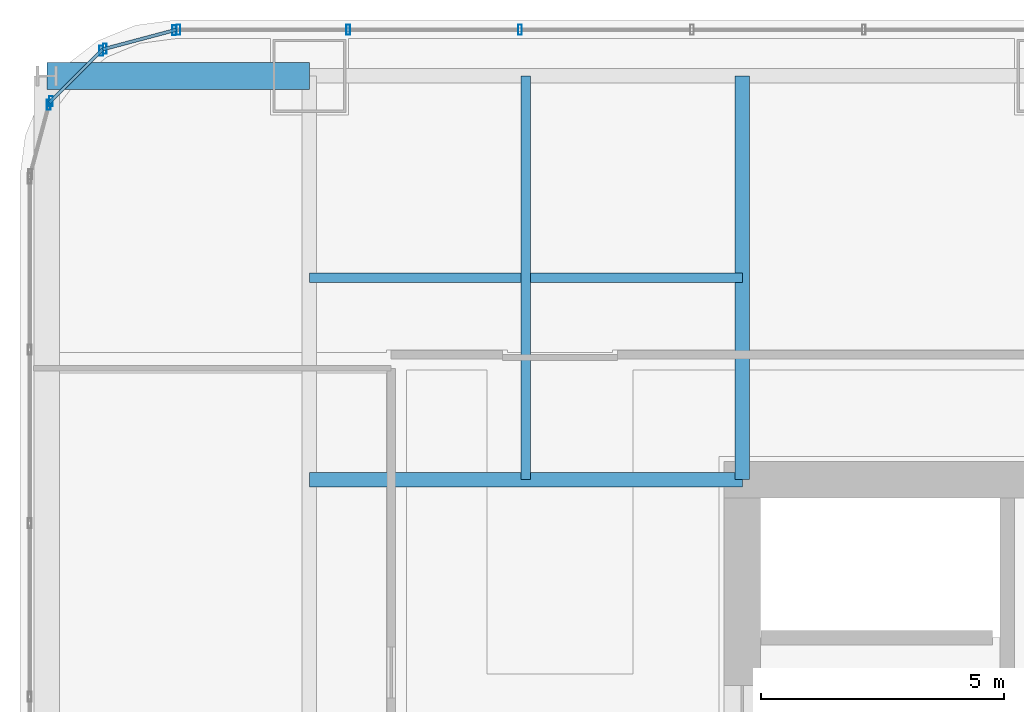
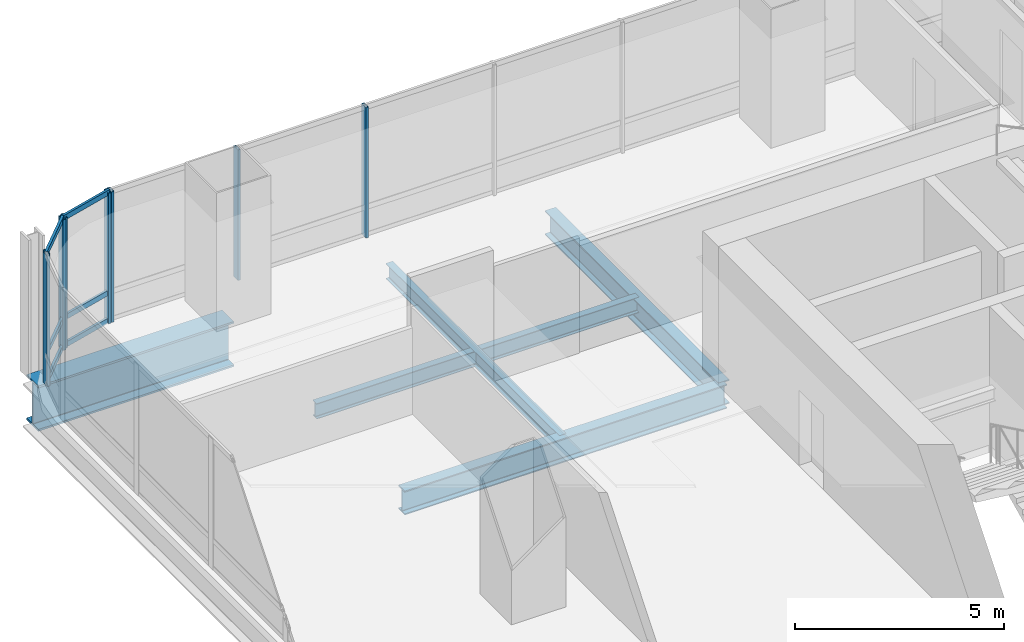
# One storey, part 19 of 36: 14 members, 5 beams, 4 elements without a shape of their own.
"""IFC4 building model written with IfcOpenShell, lengths in metres."""

from ifc_helpers import new_model, si_unit, direction, frame, origin, origin_2d, place, context, subcontext, project, spatial, hollow_rectangle, i_section, extrude, material, material_profile, profile_set, type_object, element, aggregate, save


model = new_model("IFC4")

# Units and contexts
model_context = context("Model", 3, precision=1e-05, world=origin(), true_north=direction((0.0, 1.0)))
body_context = subcontext(model_context, "Body", "Model", "MODEL_VIEW")
ifc_project = project(units=[si_unit("LENGTHUNIT", "METRE"), si_unit("AREAUNIT", "SQUARE_METRE"), si_unit("VOLUMEUNIT", "CUBIC_METRE"), si_unit("PLANEANGLEUNIT", "RADIAN"), si_unit("MASSUNIT", "GRAM", prefix="KILO")], contexts=[model_context])

# Site, building, storey
site_placement = place(None, origin())
site = spatial("IfcSite", under=ifc_project, at=site_placement, CompositionType="ELEMENT")
building_placement = place(site_placement, origin())
building = spatial("IfcBuilding", under=site, at=building_placement, Name="Punatoya Terracotta Tower", CompositionType="ELEMENT")
storey_placement = place(building_placement, frame((0.0, 0.0, 36.300048828125)))
storey = spatial("IfcBuildingStorey", under=building, at=storey_placement, Name="L07", CompositionType="ELEMENT", Elevation=36.300048828125)

# Beams
ifc_material_1 = material(Name="Steel S355", Category="steel")
ifc_material_profile_1 = material_profile(ifc_material_1, i_section(OverallWidth=0.300048828125, OverallDepth=0.699951171875, WebThickness=0.01708984375, FlangeThickness=0.031982421875, FilletRadius=0.01806640625, at=origin_2d()))
ifc_profile_set_1 = profile_set([ifc_material_profile_1], Name="Steel S355")
beam_type_1 = type_object("IfcBeamType", Name="BM-PRI-700", PredefinedType="BEAM", material=ifc_profile_set_1)
beam_1_placement = place(storey_placement, frame((-19.10009765625, 9.199951171875, -0.590087890625), z_axis=(1.0, 0.0, 0.0), x_axis=(0.0, 1.0, 0.0)))
element("IfcBeam", 1, at=beam_1_placement, inside=storey, type_object=beam_type_1, Name="BM-L07-PR-WN", PredefinedType="BEAM", context=body_context, shape_type="SweptSolid", body=[
    extrude(i_section(OverallWidth=0.300048828125, OverallDepth=0.699951171875, WebThickness=0.01708984375, FlangeThickness=0.031982421875, FilletRadius=0.01806640625, at=origin_2d()), origin(), (0.0, 0.0, 1.0), 8.900146484375),
])
beam_2_placement = place(storey_placement, frame((-10.199951171875, 9.199951171875, -0.590087890625), z_axis=(0.0, 1.0, 0.0), x_axis=(-1.0, 0.0, 0.0)))
element("IfcBeam", 2, at=beam_2_placement, inside=storey, type_object=beam_type_1, Name="BM-L07-PR-N1", PredefinedType="BEAM", context=body_context, shape_type="SweptSolid", body=[
    extrude(i_section(OverallWidth=0.300048828125, OverallDepth=0.699951171875, WebThickness=0.01708984375, FlangeThickness=0.031982421875, FilletRadius=0.01806640625, at=origin_2d()), origin(), (0.0, 0.0, 1.0), 8.300048828125),
])
ifc_material_profile_2 = material_profile(ifc_material_1, i_section(OverallWidth=0.18994140625, OverallDepth=0.449951171875, WebThickness=0.009521484375, FlangeThickness=0.0146484375, FilletRadius=0.01806640625, at=origin_2d()))
ifc_profile_set_2 = profile_set([ifc_material_profile_2], Name="Steel S355")
beam_type_2 = type_object("IfcBeamType", Name="BM-SEC-450", PredefinedType="JOIST", material=ifc_profile_set_2)
beam_3_placement = place(storey_placement, frame((-19.10009765625, 13.35009765625, -0.465087890625), z_axis=(1.0, 0.0, 0.0), x_axis=(0.0, 1.0, 0.0)))
element("IfcBeam", 3, at=beam_3_placement, inside=storey, type_object=beam_type_2, Name="BM-L07-SJN-1", PredefinedType="JOIST", context=body_context, shape_type="SweptSolid", body=[
    extrude(i_section(OverallWidth=0.18994140625, OverallDepth=0.449951171875, WebThickness=0.009521484375, FlangeThickness=0.0146484375, FilletRadius=0.01806640625, at=origin_2d()), origin(), (0.0, 0.0, 1.0), 8.900146484375),
])
beam_4_placement = place(storey_placement, frame((-14.64990234375, 9.199951171875, -0.465087890625), z_axis=(0.0, 1.0, 0.0), x_axis=(-1.0, 0.0, 0.0)))
element("IfcBeam", 4, at=beam_4_placement, inside=storey, type_object=beam_type_2, Name="BM-L07-SJW-2", PredefinedType="JOIST", context=body_context, shape_type="SweptSolid", body=[
    extrude(i_section(OverallWidth=0.18994140625, OverallDepth=0.449951171875, WebThickness=0.009521484375, FlangeThickness=0.0146484375, FilletRadius=0.01806640625, at=origin_2d()), origin(), (0.0, 0.0, 1.0), 8.300048828125),
])
ifc_material_2 = material(Name="Steel S460", Category="steel")
ifc_material_profile_3 = material_profile(ifc_material_2, i_section(OverallWidth=0.56005859375, OverallDepth=1.320068359375, WebThickness=0.035888671875, FlangeThickness=0.054931640625, FilletRadius=0.01806640625, at=origin_2d()))
ifc_profile_set_3 = profile_set([ifc_material_profile_3], Name="Steel S460")
beam_type_3 = type_object("IfcBeamType", Name="BM-TG-BLK", PredefinedType="BEAM", material=ifc_profile_set_3)
beam_5_placement = place(storey_placement, frame((-24.5, 17.5, -0.900146484375), z_axis=(1.0, 0.0, 0.0), x_axis=(0.0, 1.0, 0.0)))
element("IfcBeam", 5, at=beam_5_placement, inside=storey, type_object=beam_type_3, Name="BM-L07-CANT-W4", PredefinedType="BEAM", context=body_context, shape_type="SweptSolid", body=[
    extrude(i_section(OverallWidth=0.56005859375, OverallDepth=1.320068359375, WebThickness=0.035888671875, FlangeThickness=0.054931640625, FilletRadius=0.01806640625, at=origin_2d()), origin(), (0.0, 0.0, 1.0), 5.39990234375),
])

# Curtain wall, members
ifc_material_3 = material(Name="Aluminium 6063-T6 + Double Low-E Glass", Category="aluminium")
curtain_wall_type = type_object("IfcCurtainWallType", Name="CW-M1", PredefinedType="NOTDEFINED", material=ifc_material_3)
curtain_wall_1_placement = place(storey_placement, origin())
curtain_wall_1 = element("IfcCurtainWall", 6, at=curtain_wall_1_placement, inside=storey, type_object=curtain_wall_type, Name="L07 Curtain Wall CW-L07-N09-1", PredefinedType="NOTDEFINED")
ifc_material_4 = material(Name="Aluminium 6063-T6", Category="aluminium")
ifc_material_profile_4 = material_profile(ifc_material_4, hollow_rectangle(XDim=0.074951171875, YDim=0.2099609375, WallThickness=0.00439453125, at=origin_2d()))
ifc_profile_set_4 = profile_set([ifc_material_profile_4], Name="Aluminium 6063-T6")
member_type_1 = type_object("IfcMemberType", Name="CW-MUL-M1", PredefinedType="MULLION", material=ifc_profile_set_4)
member_1_placement = place(storey_placement, frame((-14.768798828125, 18.449951171875, 0.0), z_axis=(0.0, 0.0, 1.0), x_axis=(1.0, 0.0, 0.0)))
member_1 = element("IfcMember", 7, at=member_1_placement, type_object=member_type_1, Name="CW-L07-N09-1 Mullion 09", PredefinedType="MULLION", context=body_context, shape_type="SweptSolid", body=[
    extrude(hollow_rectangle(XDim=0.074951171875, YDim=0.2099609375, WallThickness=0.00439453125, at=origin_2d()), origin(), (0.0, 0.0, 1.0), 3.81005859375),
])
member_2_placement = place(storey_placement, frame((-18.302978515625, 18.449951171875, 0.0), z_axis=(0.0, 0.0, 1.0), x_axis=(1.0, 0.0, 0.0)))
member_2 = element("IfcMember", 8, at=member_2_placement, type_object=member_type_1, Name="CW-L07-N09-1 Mullion 10", PredefinedType="MULLION", context=body_context, shape_type="SweptSolid", body=[
    extrude(hollow_rectangle(XDim=0.074951171875, YDim=0.2099609375, WallThickness=0.00439453125, at=origin_2d()), origin(), (0.0, 0.0, 1.0), 3.81005859375),
])
member_3_placement = place(storey_placement, frame((-21.7919921875, 18.449951171875, 0.0), z_axis=(0.0, 0.0, 1.0), x_axis=(1.0, 0.0, 0.0)))
member_3 = element("IfcMember", 9, at=member_3_placement, type_object=member_type_1, Name="CW-L07-N09-1 Mullion 11", PredefinedType="MULLION", context=body_context, shape_type="SweptSolid", body=[
    extrude(hollow_rectangle(XDim=0.074951171875, YDim=0.2099609375, WallThickness=0.00439453125, at=origin_2d()), origin(), (0.0, 0.0, 1.0), 3.81005859375),
])
aggregate(curtain_wall_1, [member_1, member_2, member_3])

curtain_wall_2_placement = place(storey_placement, origin())
curtain_wall_2 = element("IfcCurtainWall", 10, at=curtain_wall_2_placement, inside=storey, type_object=curtain_wall_type, Name="L07 Curtain Wall CW-L07-CRN10", PredefinedType="NOTDEFINED")
member_4_placement = place(storey_placement, frame((-21.88037109375, 18.4384765625, 0.0), z_axis=(0.0, 0.0, 1.0), x_axis=(1.0, 0.0, 0.0)))
member_4 = element("IfcMember", 11, at=member_4_placement, type_object=member_type_1, Name="CW-L07-CRN10 Mullion 00", PredefinedType="MULLION", context=body_context, shape_type="SweptSolid", body=[
    extrude(hollow_rectangle(XDim=0.074951171875, YDim=0.2099609375, WallThickness=0.00439453125, at=origin_2d()), origin(), (0.0, 0.0, 1.0), 3.81005859375),
])
member_5_placement = place(storey_placement, frame((-23.3056640625, 18.05810546875, 0.0), z_axis=(0.0, 0.0, 1.0), x_axis=(1.0, 0.0, 0.0)))
member_5 = element("IfcMember", 12, at=member_5_placement, type_object=member_type_1, Name="CW-L07-CRN10 Mullion 01", PredefinedType="MULLION", context=body_context, shape_type="SweptSolid", body=[
    extrude(hollow_rectangle(XDim=0.074951171875, YDim=0.2099609375, WallThickness=0.00439453125, at=origin_2d()), origin(), (0.0, 0.0, 1.0), 3.81005859375),
])

curtain_wall_3_placement = place(storey_placement, origin())
curtain_wall_3 = element("IfcCurtainWall", 13, at=curtain_wall_3_placement, inside=storey, type_object=curtain_wall_type, Name="L07 Curtain Wall CW-L07-CRN11", PredefinedType="NOTDEFINED")
member_6_placement = place(storey_placement, frame((-23.380859375, 18.014892578125, 0.0), z_axis=(0.0, 0.0, 1.0), x_axis=(1.0, 0.0, 0.0)))
member_6 = element("IfcMember", 14, at=member_6_placement, type_object=member_type_1, Name="CW-L07-CRN11 Mullion 00", PredefinedType="MULLION", context=body_context, shape_type="SweptSolid", body=[
    extrude(hollow_rectangle(XDim=0.074951171875, YDim=0.2099609375, WallThickness=0.00439453125, at=origin_2d()), origin(), (0.0, 0.0, 1.0), 3.81005859375),
])
member_7_placement = place(storey_placement, frame((-24.414794921875, 16.98095703125, 0.0), z_axis=(0.0, 0.0, 1.0), x_axis=(1.0, 0.0, 0.0)))
member_7 = element("IfcMember", 15, at=member_7_placement, type_object=member_type_1, Name="CW-L07-CRN11 Mullion 01", PredefinedType="MULLION", context=body_context, shape_type="SweptSolid", body=[
    extrude(hollow_rectangle(XDim=0.074951171875, YDim=0.2099609375, WallThickness=0.00439453125, at=origin_2d()), origin(), (0.0, 0.0, 1.0), 3.81005859375),
])

# Curtain wall, member
curtain_wall_4_placement = place(storey_placement, origin())
curtain_wall_4 = element("IfcCurtainWall", 16, at=curtain_wall_4_placement, inside=storey, type_object=curtain_wall_type, Name="L07 Curtain Wall CW-L07-CRN12", PredefinedType="NOTDEFINED")
member_8_placement = place(storey_placement, frame((-24.458251953125, 16.905517578125, 0.0), z_axis=(0.0, 0.0, 1.0), x_axis=(1.0, 0.0, 0.0)))
member_8 = element("IfcMember", 17, at=member_8_placement, type_object=member_type_1, Name="CW-L07-CRN12 Mullion 00", PredefinedType="MULLION", context=body_context, shape_type="SweptSolid", body=[
    extrude(hollow_rectangle(XDim=0.074951171875, YDim=0.2099609375, WallThickness=0.00439453125, at=origin_2d()), origin(), (0.0, 0.0, 1.0), 3.81005859375),
])
aggregate(curtain_wall_4, [member_8])

# Member
ifc_material_profile_5 = material_profile(ifc_material_4, hollow_rectangle(XDim=0.068115234375, YDim=0.14990234375, WallThickness=0.00390625, at=origin_2d()))
ifc_profile_set_5 = profile_set([ifc_material_profile_5], Name="Aluminium 6063-T6")
member_type_2 = type_object("IfcMemberType", Name="CW-TRN-TYP", PredefinedType="USERDEFINED", material=ifc_profile_set_5)
member_9_placement = place(storey_placement, frame((-21.8369140625, 18.449951171875, 0.0400390625), z_axis=(-0.966224582397, -0.257701486942, 0.0), x_axis=(0.257701486942, -0.966224582397, 0.0)))
member_9 = element("IfcMember", 18, at=member_9_placement, type_object=member_type_2, Name="CW-L07-CRN10 Transom 1", ObjectType="TRANSOM", PredefinedType="USERDEFINED", context=body_context, shape_type="SweptSolid", body=[
    extrude(hollow_rectangle(XDim=0.068115234375, YDim=0.14990234375, WallThickness=0.00390625, at=origin_2d()), origin(), (0.0, 0.0, 1.0), 1.565185546875),
])

member_10_placement = place(storey_placement, frame((-21.8369140625, 18.449951171875, 0.849853515625), z_axis=(-0.966224582397, -0.257701486942, 0.0), x_axis=(0.257701486942, -0.966224582397, 0.0)))
member_10 = element("IfcMember", 19, at=member_10_placement, type_object=member_type_2, Name="CW-L07-CRN10 Transom 2", ObjectType="TRANSOM", PredefinedType="USERDEFINED", context=body_context, shape_type="SweptSolid", body=[
    extrude(hollow_rectangle(XDim=0.068115234375, YDim=0.14990234375, WallThickness=0.00390625, at=origin_2d()), origin(), (0.0, 0.0, 1.0), 1.565185546875),
])

member_11_placement = place(storey_placement, frame((-21.8369140625, 18.449951171875, 3.77001953125), z_axis=(-0.966224582397, -0.257701486942, 0.0), x_axis=(0.257701486942, -0.966224582397, 0.0)))
member_11 = element("IfcMember", 20, at=member_11_placement, type_object=member_type_2, Name="CW-L07-CRN10 Transom 3", ObjectType="TRANSOM", PredefinedType="USERDEFINED", context=body_context, shape_type="SweptSolid", body=[
    extrude(hollow_rectangle(XDim=0.068115234375, YDim=0.14990234375, WallThickness=0.00390625, at=origin_2d()), origin(), (0.0, 0.0, 1.0), 1.565185546875),
])

aggregate(curtain_wall_2, [member_4, member_5, member_9, member_10, member_11])

member_12_placement = place(storey_placement, frame((-23.34912109375, 18.046630859375, 0.0400390625), z_axis=(-0.707106781187, -0.707106781187, 0.0), x_axis=(0.707106781187, -0.707106781187, 0.0)))
member_12 = element("IfcMember", 21, at=member_12_placement, type_object=member_type_2, Name="CW-L07-CRN11 Transom 1", ObjectType="TRANSOM", PredefinedType="USERDEFINED", context=body_context, shape_type="SweptSolid", body=[
    extrude(hollow_rectangle(XDim=0.068115234375, YDim=0.14990234375, WallThickness=0.00390625, at=origin_2d()), origin(), (0.0, 0.0, 1.0), 1.552001953125),
])

member_13_placement = place(storey_placement, frame((-23.34912109375, 18.046630859375, 0.849853515625), z_axis=(-0.707106781187, -0.707106781187, 0.0), x_axis=(0.707106781187, -0.707106781187, 0.0)))
member_13 = element("IfcMember", 22, at=member_13_placement, type_object=member_type_2, Name="CW-L07-CRN11 Transom 2", ObjectType="TRANSOM", PredefinedType="USERDEFINED", context=body_context, shape_type="SweptSolid", body=[
    extrude(hollow_rectangle(XDim=0.068115234375, YDim=0.14990234375, WallThickness=0.00390625, at=origin_2d()), origin(), (0.0, 0.0, 1.0), 1.552001953125),
])

member_14_placement = place(storey_placement, frame((-23.34912109375, 18.046630859375, 3.77001953125), z_axis=(-0.707106781187, -0.707106781187, 0.0), x_axis=(0.707106781187, -0.707106781187, 0.0)))
member_14 = element("IfcMember", 23, at=member_14_placement, type_object=member_type_2, Name="CW-L07-CRN11 Transom 3", ObjectType="TRANSOM", PredefinedType="USERDEFINED", context=body_context, shape_type="SweptSolid", body=[
    extrude(hollow_rectangle(XDim=0.068115234375, YDim=0.14990234375, WallThickness=0.00390625, at=origin_2d()), origin(), (0.0, 0.0, 1.0), 1.552001953125),
])

aggregate(curtain_wall_3, [member_6, member_7, member_12, member_13, member_14])

save(model, "model.ifc")
